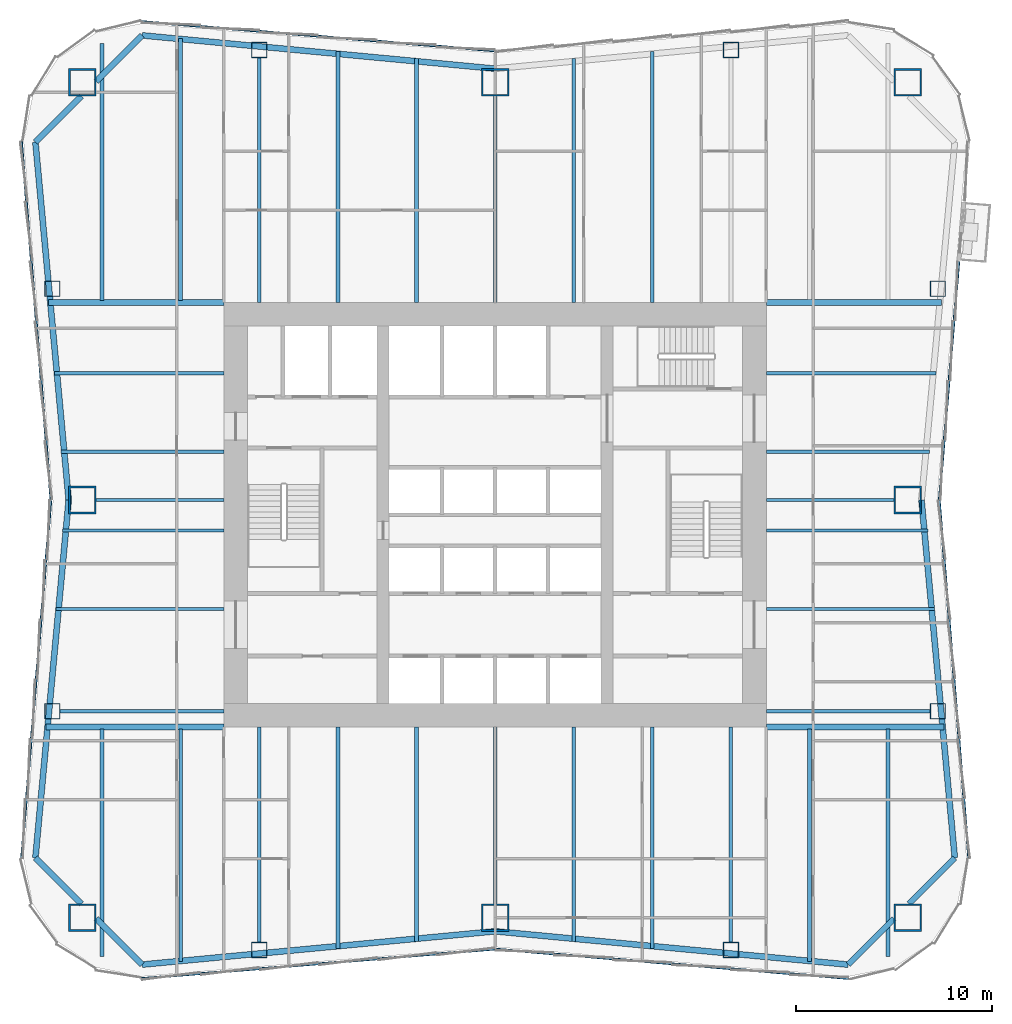
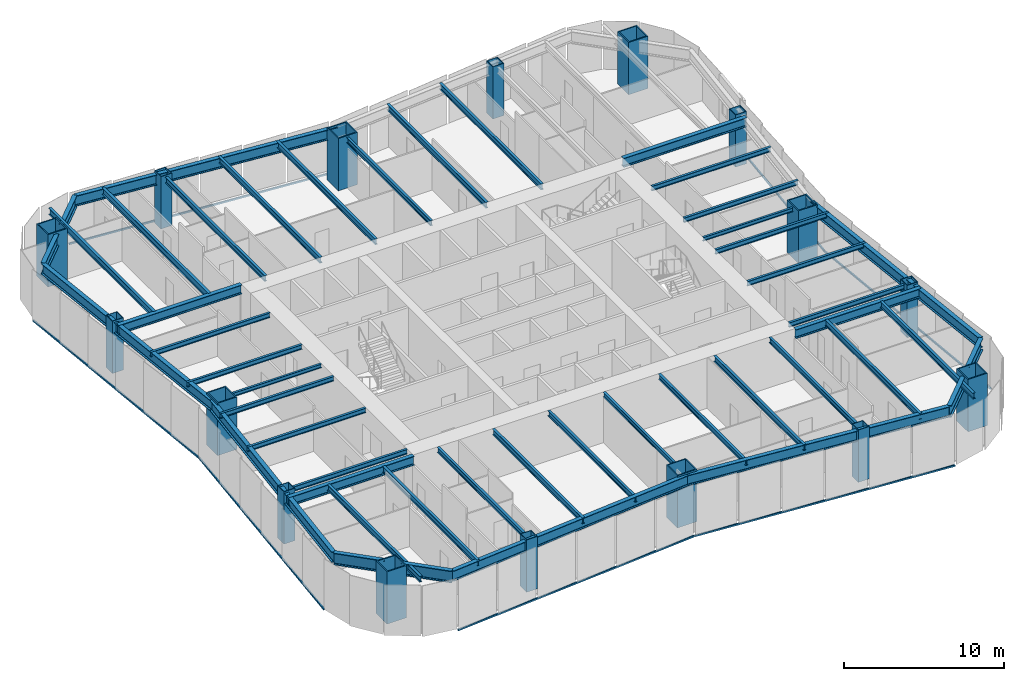
# One storey, part 1 of 9: 47 beams, 16 columns, 7 members, 4 elements without a shape of their own.
"""IFC4 building model written with IfcOpenShell, lengths in metres."""

from ifc_helpers import new_model, si_unit, direction, frame, origin, origin_2d, place, context, subcontext, project, spatial, rectangle, hollow_rectangle, i_section, extrude, material, material_profile, profile_set, type_object, element, aggregate, save


model = new_model("IFC4")

# Units and contexts
model_context = context("Model", 3, precision=1e-05, world=origin(), true_north=direction((0.0, 1.0)))
body_context = subcontext(model_context, "Body", "Model", "MODEL_VIEW")
ifc_project = project(units=[si_unit("LENGTHUNIT", "METRE"), si_unit("AREAUNIT", "SQUARE_METRE"), si_unit("VOLUMEUNIT", "CUBIC_METRE"), si_unit("PLANEANGLEUNIT", "RADIAN"), si_unit("MASSUNIT", "GRAM", prefix="KILO")], contexts=[model_context])

# Site, building, storey
site_placement = place(None, origin())
site = spatial("IfcSite", under=ifc_project, at=site_placement, CompositionType="ELEMENT")
building_placement = place(site_placement, origin())
building = spatial("IfcBuilding", under=site, at=building_placement, Name="Verdant Reach Tower", CompositionType="ELEMENT")
storey_placement = place(building_placement, frame((0.0, 0.0, 86.0)))
storey = spatial("IfcBuildingStorey", under=building, at=storey_placement, Name="L19", CompositionType="ELEMENT", Elevation=86.0)

# Columns
ifc_material_1 = material(Name="Steel S460", Category="steel")
ifc_material_profile_1 = material_profile(ifc_material_1, hollow_rectangle(XDim=1.39990234375, YDim=1.39990234375, WallThickness=0.080078125, at=origin_2d()), Name="WB 1400x1400x80")
ifc_profile_set_1 = profile_set([ifc_material_profile_1], Name="Steel S460")
column_type_1 = type_object("IfcColumnType", Name="ST-COL-WB1400x1400x80", PredefinedType="COLUMN", material=ifc_profile_set_1)
for number, where, z_axis, x_axis, name in (
    (1, (-21.0, 50.0, 0.0), (0.0, 0.0, 1.0), (1.0, 0.0, 0.0), "Mega column north-west, L19"),
    (2, (0.0, 50.0, 0.0), (0.0, 0.0, 1.0), (1.0, 0.0, 0.0), "Mega column north, L19"),
    (3, (21.0, 50.0, 0.0), (0.0, 0.0, 1.0), (1.0, 0.0, 0.0), "Mega column north-east, L19"),
    (4, (21.0, 28.75, 0.0), (0.0, 0.0, 1.0), (1.0, 0.0, 0.0), "Mega column east, L19"),
    (5, (21.0, 7.5, 0.0), (0.0, 0.0, 1.0), (1.0, 0.0, 0.0), "Mega column south-east, L19"),
    (6, (0.0, 7.5, 0.0), (0.0, 0.0, 1.0), (1.0, 0.0, 0.0), "Mega column south, L19"),
    (7, (-21.0, 7.5, 0.0), (0.0, 0.0, 1.0), (1.0, 0.0, 0.0), "Mega column south-west, L19"),
    (8, (-21.0, 28.75, 0.0), (0.0, 0.0, 1.0), (1.0, 0.0, 0.0), "Mega column west, L19"),
):
    element("IfcColumn", number, at=place(storey_placement, frame(where, z_axis=z_axis, x_axis=x_axis)), inside=storey, type_object=column_type_1, Name=name, PredefinedType="COLUMN", context=body_context, shape_type="SweptSolid", body=[
        extrude(hollow_rectangle(XDim=1.39990234375, YDim=1.39990234375, WallThickness=0.080078125, at=origin_2d()), origin(), (0.0, 0.0, 1.0), 4.0),
    ])
ifc_material_profile_2 = material_profile(ifc_material_1, hollow_rectangle(XDim=0.800048828125, YDim=0.800048828125, WallThickness=0.0400390625, at=origin_2d()), Name="WB 800x800x40")
ifc_profile_set_2 = profile_set([ifc_material_profile_2], Name="Steel S460")
column_type_2 = type_object("IfcColumnType", Name="ST-COL-WB800x800x40", PredefinedType="COLUMN", material=ifc_profile_set_2)
for number, where, z_axis, x_axis, name in (
    (9, (-12.0, 51.64990234375, 0.0), (0.0, 0.0, 1.0), (1.0, 0.0, 0.0), "Perimeter column north 1, L19"),
    (10, (12.0, 51.64990234375, 0.0), (0.0, 0.0, 1.0), (1.0, 0.0, 0.0), "Perimeter column north 2, L19"),
    (11, (-12.0, 5.85009765625, 0.0), (0.0, 0.0, 1.0), (1.0, 0.0, 0.0), "Perimeter column south 1, L19"),
    (12, (12.0, 5.85009765625, 0.0), (0.0, 0.0, 1.0), (1.0, 0.0, 0.0), "Perimeter column south 2, L19"),
    (13, (22.53369140625, 18.0, 0.0), (0.0, 0.0, 1.0), (1.0, 0.0, 0.0), "Perimeter column east 1, L19"),
    (14, (22.53369140625, 39.5, 0.0), (0.0, 0.0, 1.0), (1.0, 0.0, 0.0), "Perimeter column east 2, L19"),
    (15, (-22.53369140625, 18.0, 0.0), (0.0, 0.0, 1.0), (1.0, 0.0, 0.0), "Perimeter column west 1, L19"),
    (16, (-22.53369140625, 39.5, 0.0), (0.0, 0.0, 1.0), (1.0, 0.0, 0.0), "Perimeter column west 2, L19"),
):
    element("IfcColumn", number, at=place(storey_placement, frame(where, z_axis=z_axis, x_axis=x_axis)), inside=storey, type_object=column_type_2, Name=name, PredefinedType="COLUMN", context=body_context, shape_type="SweptSolid", body=[
        extrude(hollow_rectangle(XDim=0.800048828125, YDim=0.800048828125, WallThickness=0.0400390625, at=origin_2d()), origin(), (0.0, 0.0, 1.0), 4.0),
    ])

# Curtain wall, members
ifc_material_2 = material(Name="Anodised aluminium", Category="aluminium")
curtain_wall_type = type_object("IfcCurtainWallType", Name="EN-CW SYSTEM Z1", PredefinedType="NOTDEFINED", material=ifc_material_2)
curtain_wall_1_placement = place(storey_placement, origin())
curtain_wall_1 = element("IfcCurtainWall", 17, at=curtain_wall_1_placement, inside=storey, type_object=curtain_wall_type, Name="Curtain wall east, L19", PredefinedType="NOTDEFINED")
ifc_material_profile_3 = material_profile(ifc_material_2, rectangle(XDim=0.10009765625, YDim=0.1220703125, at=origin_2d()), Name="Transom 122x100")
ifc_profile_set_3 = profile_set([ifc_material_profile_3], Name="Anodised aluminium")
member_type = type_object("IfcMemberType", Name="EN-TRANSOM Z1", PredefinedType="USERDEFINED", material=ifc_profile_set_3)
member_1_placement = place(storey_placement, frame((24.100341796875, 10.52490234375, -0.2890625), z_axis=(-0.081886623329, 0.996641651207, 0.0), x_axis=(-0.996641651207, -0.081886623329, 0.0)))
member_1 = element("IfcMember", 18, at=member_1_placement, type_object=member_type, Name="Transom east face part 1 1.1, L19", ObjectType="TRANSOM", PredefinedType="USERDEFINED", context=body_context, shape_type="SweptSolid", body=[
    extrude(rectangle(XDim=0.10009765625, YDim=0.1220703125, at=origin_2d()), origin(), (0.0, 0.0, 1.0), 18.25537109375),
])
member_2_placement = place(storey_placement, frame((22.60546875, 28.781005859375, -0.2890625), z_axis=(0.081948400518, 0.996636573507, 0.0), x_axis=(-0.996636573507, 0.081948400518, 0.0)))
member_2 = element("IfcMember", 19, at=member_2_placement, type_object=member_type, Name="Transom east face part 2 1.1, L19", ObjectType="TRANSOM", PredefinedType="USERDEFINED", context=body_context, shape_type="SweptSolid", body=[
    extrude(rectangle(XDim=0.10009765625, YDim=0.1220703125, at=origin_2d()), origin(), (0.0, 0.0, 1.0), 12.13720703125),
])
aggregate(curtain_wall_1, [member_1, member_2])

# Curtain wall, member
curtain_wall_2_placement = place(storey_placement, origin())
curtain_wall_2 = element("IfcCurtainWall", 20, at=curtain_wall_2_placement, inside=storey, type_object=curtain_wall_type, Name="Curtain wall north, L19", PredefinedType="NOTDEFINED")
member_3_placement = place(storey_placement, frame((-0.031005859375, 51.60546875, -0.2890625), z_axis=(-0.996547815143, 0.083020793384, 0.0), x_axis=(-0.083020793384, -0.996547815143, 0.0)))
member_3 = element("IfcMember", 21, at=member_3_placement, type_object=member_type, Name="Transom north face part 2 1.1, L19", ObjectType="TRANSOM", PredefinedType="USERDEFINED", context=body_context, shape_type="SweptSolid", body=[
    extrude(rectangle(XDim=0.10009765625, YDim=0.1220703125, at=origin_2d()), origin(), (0.0, 0.0, 1.0), 18.006103515625),
])
aggregate(curtain_wall_2, [member_3])

# Curtain wall, members
curtain_wall_3_placement = place(storey_placement, origin())
curtain_wall_3 = element("IfcCurtainWall", 22, at=curtain_wall_3_placement, inside=storey, type_object=curtain_wall_type, Name="Curtain wall west, L19", PredefinedType="NOTDEFINED")
member_4_placement = place(storey_placement, frame((-24.100341796875, 46.97509765625, -0.2890625), z_axis=(0.081886623329, -0.996641651207, 0.0), x_axis=(0.996641651207, 0.081886623329, 0.0)))
member_4 = element("IfcMember", 23, at=member_4_placement, type_object=member_type, Name="Transom west face part 1 1.1, L19", ObjectType="TRANSOM", PredefinedType="USERDEFINED", context=body_context, shape_type="SweptSolid", body=[
    extrude(rectangle(XDim=0.10009765625, YDim=0.1220703125, at=origin_2d()), origin(), (0.0, 0.0, 1.0), 18.25537109375),
])
member_5_placement = place(storey_placement, frame((-22.60546875, 28.718994140625, -0.2890625), z_axis=(-0.081886623329, -0.996641651207, 0.0), x_axis=(0.996641651207, -0.081886623329, 0.0)))
member_5 = element("IfcMember", 24, at=member_5_placement, type_object=member_type, Name="Transom west face part 2 1.1, L19", ObjectType="TRANSOM", PredefinedType="USERDEFINED", context=body_context, shape_type="SweptSolid", body=[
    extrude(rectangle(XDim=0.10009765625, YDim=0.1220703125, at=origin_2d()), origin(), (0.0, 0.0, 1.0), 18.25537109375),
])
aggregate(curtain_wall_3, [member_4, member_5])

curtain_wall_4_placement = place(storey_placement, origin())
curtain_wall_4 = element("IfcCurtainWall", 25, at=curtain_wall_4_placement, inside=storey, type_object=curtain_wall_type, Name="Curtain wall south, L19", PredefinedType="NOTDEFINED")
member_6_placement = place(storey_placement, frame((-17.974853515625, 4.399658203125, -0.2890625), z_axis=(0.996547815143, 0.083020793384, 0.0), x_axis=(-0.083020793384, 0.996547815143, 0.0)))
member_6 = element("IfcMember", 26, at=member_6_placement, type_object=member_type, Name="Transom south face part 1 1.1, L19", ObjectType="TRANSOM", PredefinedType="USERDEFINED", context=body_context, shape_type="SweptSolid", body=[
    extrude(rectangle(XDim=0.10009765625, YDim=0.1220703125, at=origin_2d()), origin(), (0.0, 0.0, 1.0), 18.006103515625),
])
member_7_placement = place(storey_placement, frame((0.031005859375, 5.89453125, -0.2890625), z_axis=(0.996547815143, -0.083020793384, 0.0), x_axis=(0.083020793384, 0.996547815143, 0.0)))
member_7 = element("IfcMember", 27, at=member_7_placement, type_object=member_type, Name="Transom south face part 2 1.1, L19", ObjectType="TRANSOM", PredefinedType="USERDEFINED", context=body_context, shape_type="SweptSolid", body=[
    extrude(rectangle(XDim=0.10009765625, YDim=0.1220703125, at=origin_2d()), origin(), (0.0, 0.0, 1.0), 18.006103515625),
])
aggregate(curtain_wall_4, [member_6, member_7])

# Beams
ifc_material_3 = material(Name="Steel S355", Category="steel")
ifc_material_profile_4 = material_profile(ifc_material_3, i_section(OverallWidth=0.300048828125, OverallDepth=0.699951171875, WebThickness=0.01708984375, FlangeThickness=0.031982421875, FilletRadius=0.027099609375, at=origin_2d()), Name="HEB 700")
ifc_profile_set_4 = profile_set([ifc_material_profile_4], Name="Steel S355")
beam_type_1 = type_object("IfcBeamType", Name="ST-BEAM-HEB700", PredefinedType="BEAM", material=ifc_profile_set_4)
for number, where, z_axis, x_axis, name in (
    (28, (13.800048828125, 38.800048828125, 3.52001953125), (1.0, 0.0, 0.0), (0.0, 1.0, 0.0), "Trimmer beam, L19"),
    (29, (-13.800048828125, 38.800048828125, 3.52001953125), (-1.0, 0.0, 0.0), (0.0, -1.0, 0.0), "Trimmer beam, L19"),
):
    element("IfcBeam", number, at=place(storey_placement, frame(where, z_axis=z_axis, x_axis=x_axis)), inside=storey, type_object=beam_type_1, Name=name, PredefinedType="BEAM", context=body_context, shape_type="SweptSolid", body=[
        extrude(i_section(OverallWidth=0.300048828125, OverallDepth=0.699951171875, WebThickness=0.01708984375, FlangeThickness=0.031982421875, FilletRadius=0.027099609375, at=origin_2d()), origin(), (0.0, 0.0, 1.0), 8.924072265625),
    ])
for number, where, z_axis, x_axis, name in (
    (30, (13.800048828125, 17.199951171875, 3.52001953125), (1.0, 0.0, 0.0), (0.0, 1.0, 0.0), "Trimmer beam, L19"),
    (31, (-13.800048828125, 17.199951171875, 3.52001953125), (-1.0, 0.0, 0.0), (0.0, -1.0, 0.0), "Trimmer beam, L19"),
):
    element("IfcBeam", number, at=place(storey_placement, frame(where, z_axis=z_axis, x_axis=x_axis)), inside=storey, type_object=beam_type_1, Name=name, PredefinedType="BEAM", context=body_context, shape_type="SweptSolid", body=[
        extrude(i_section(OverallWidth=0.300048828125, OverallDepth=0.699951171875, WebThickness=0.01708984375, FlangeThickness=0.031982421875, FilletRadius=0.027099609375, at=origin_2d()), origin(), (0.0, 0.0, 1.0), 9.04736328125),
    ])
ifc_material_profile_5 = material_profile(ifc_material_3, i_section(OverallWidth=0.14990234375, OverallDepth=0.300048828125, WebThickness=0.007080078125, FlangeThickness=0.0107421875, FilletRadius=0.014892578125, at=origin_2d()), Name="IPE 300")
ifc_profile_set_5 = profile_set([ifc_material_profile_5], Name="Steel S355")
beam_type_2 = type_object("IfcBeamType", Name="ST-JOIST-IPE300", PredefinedType="JOIST", material=ifc_profile_set_5)
for number, where, z_axis, x_axis, name in (
    (32, (13.800048828125, 28.75, 3.719970703125), (1.0, 0.0, 0.0), (0.0, 1.0, 0.0), "Floor joist, L19"),
    (33, (-13.800048828125, 28.75, 3.719970703125), (-1.0, 0.0, 0.0), (0.0, -1.0, 0.0), "Floor joist, L19"),
):
    element("IfcBeam", number, at=place(storey_placement, frame(where, z_axis=z_axis, x_axis=x_axis)), inside=storey, type_object=beam_type_2, Name=name, PredefinedType="JOIST", context=body_context, shape_type="SweptSolid", body=[
        extrude(i_section(OverallWidth=0.14990234375, OverallDepth=0.300048828125, WebThickness=0.007080078125, FlangeThickness=0.0107421875, FilletRadius=0.014892578125, at=origin_2d()), origin(), (0.0, 0.0, 1.0), 6.5),
    ])
ifc_material_profile_6 = material_profile(ifc_material_3, i_section(OverallWidth=0.169921875, OverallDepth=0.360107421875, WebThickness=0.008056640625, FlangeThickness=0.0126953125, FilletRadius=0.01806640625, at=origin_2d()), Name="IPE 360")
ifc_profile_set_6 = profile_set([ifc_material_profile_6], Name="Steel S355")
beam_type_3 = type_object("IfcBeamType", Name="ST-JOIST-IPE360", PredefinedType="JOIST", material=ifc_profile_set_6)
beam_1_placement = place(storey_placement, frame((0.0, 17.199951171875, 3.68994140625), z_axis=(0.0, -1.0, 0.0), x_axis=(1.0, 0.0, 0.0)))
element("IfcBeam", 34, at=beam_1_placement, inside=storey, type_object=beam_type_3, Name="Floor joist, L19", PredefinedType="JOIST", context=body_context, shape_type="SweptSolid", body=[
    extrude(i_section(OverallWidth=0.169921875, OverallDepth=0.360107421875, WebThickness=0.008056640625, FlangeThickness=0.0126953125, FilletRadius=0.01806640625, at=origin_2d()), origin(), (0.0, 0.0, 1.0), 9.0),
])
for number, where, z_axis, x_axis, name in (
    (35, (13.800048828125, 18.0, 3.68994140625), (1.0, 0.0, 0.0), (0.0, 1.0, 0.0), "Floor joist, L19"),
    (36, (-13.800048828125, 18.0, 3.68994140625), (-1.0, 0.0, 0.0), (0.0, -1.0, 0.0), "Floor joist, L19"),
):
    element("IfcBeam", number, at=place(storey_placement, frame(where, z_axis=z_axis, x_axis=x_axis)), inside=storey, type_object=beam_type_3, Name=name, PredefinedType="JOIST", context=body_context, shape_type="SweptSolid", body=[
        extrude(i_section(OverallWidth=0.169921875, OverallDepth=0.360107421875, WebThickness=0.008056640625, FlangeThickness=0.0126953125, FilletRadius=0.01806640625, at=origin_2d()), origin(), (0.0, 0.0, 1.0), 8.33349609375),
    ])
for number, where, z_axis, x_axis, name in (
    (37, (13.800048828125, 23.199951171875, 3.68994140625), (1.0, 0.0, 0.0), (0.0, 1.0, 0.0), "Floor joist, L19"),
    (38, (-13.800048828125, 23.199951171875, 3.68994140625), (-1.0, 0.0, 0.0), (0.0, -1.0, 0.0), "Floor joist, L19"),
):
    element("IfcBeam", number, at=place(storey_placement, frame(where, z_axis=z_axis, x_axis=x_axis)), inside=storey, type_object=beam_type_3, Name=name, PredefinedType="JOIST", context=body_context, shape_type="SweptSolid", body=[
        extrude(i_section(OverallWidth=0.169921875, OverallDepth=0.360107421875, WebThickness=0.008056640625, FlangeThickness=0.0126953125, FilletRadius=0.01806640625, at=origin_2d()), origin(), (0.0, 0.0, 1.0), 8.553955078125),
    ])
for number, where, z_axis, x_axis, name in (
    (39, (13.800048828125, 27.199951171875, 3.68994140625), (1.0, 0.0, 0.0), (0.0, 1.0, 0.0), "Floor joist, L19"),
    (40, (-13.800048828125, 27.199951171875, 3.68994140625), (-1.0, 0.0, 0.0), (0.0, -1.0, 0.0), "Floor joist, L19"),
):
    element("IfcBeam", number, at=place(storey_placement, frame(where, z_axis=z_axis, x_axis=x_axis)), inside=storey, type_object=beam_type_3, Name=name, PredefinedType="JOIST", context=body_context, shape_type="SweptSolid", body=[
        extrude(i_section(OverallWidth=0.169921875, OverallDepth=0.360107421875, WebThickness=0.008056640625, FlangeThickness=0.0126953125, FilletRadius=0.01806640625, at=origin_2d()), origin(), (0.0, 0.0, 1.0), 8.225341796875),
    ])
for number, where, z_axis, x_axis, name in (
    (41, (13.800048828125, 31.199951171875, 3.68994140625), (1.0, 0.0, 0.0), (0.0, 1.0, 0.0), "Floor joist, L19"),
    (42, (-13.800048828125, 31.199951171875, 3.68994140625), (-1.0, 0.0, 0.0), (0.0, -1.0, 0.0), "Floor joist, L19"),
):
    element("IfcBeam", number, at=place(storey_placement, frame(where, z_axis=z_axis, x_axis=x_axis)), inside=storey, type_object=beam_type_3, Name=name, PredefinedType="JOIST", context=body_context, shape_type="SweptSolid", body=[
        extrude(i_section(OverallWidth=0.169921875, OverallDepth=0.360107421875, WebThickness=0.008056640625, FlangeThickness=0.0126953125, FilletRadius=0.01806640625, at=origin_2d()), origin(), (0.0, 0.0, 1.0), 8.29931640625),
    ])
for number, where, z_axis, x_axis, name in (
    (43, (13.800048828125, 35.199951171875, 3.68994140625), (1.0, 0.0, 0.0), (0.0, 1.0, 0.0), "Floor joist, L19"),
    (44, (-13.800048828125, 35.199951171875, 3.68994140625), (-1.0, 0.0, 0.0), (0.0, -1.0, 0.0), "Floor joist, L19"),
):
    element("IfcBeam", number, at=place(storey_placement, frame(where, z_axis=z_axis, x_axis=x_axis)), inside=storey, type_object=beam_type_3, Name=name, PredefinedType="JOIST", context=body_context, shape_type="SweptSolid", body=[
        extrude(i_section(OverallWidth=0.169921875, OverallDepth=0.360107421875, WebThickness=0.008056640625, FlangeThickness=0.0126953125, FilletRadius=0.01806640625, at=origin_2d()), origin(), (0.0, 0.0, 1.0), 8.6279296875),
    ])
ifc_material_profile_7 = material_profile(ifc_material_3, i_section(OverallWidth=0.179931640625, OverallDepth=0.39990234375, WebThickness=0.008544921875, FlangeThickness=0.013427734375, FilletRadius=0.02099609375, at=origin_2d()), Name="IPE 400")
ifc_profile_set_7 = profile_set([ifc_material_profile_7], Name="Steel S355")
beam_type_4 = type_object("IfcBeamType", Name="ST-JOIST-IPE400", PredefinedType="JOIST", material=ifc_profile_set_7)
beam_2_placement = place(storey_placement, frame((-12.0, 17.199951171875, 3.669921875), z_axis=(0.0, -1.0, 0.0), x_axis=(1.0, 0.0, 0.0)))
element("IfcBeam", 45, at=beam_2_placement, inside=storey, type_object=beam_type_4, Name="Floor joist, L19", PredefinedType="JOIST", context=body_context, shape_type="SweptSolid", body=[
    extrude(i_section(OverallWidth=0.179931640625, OverallDepth=0.39990234375, WebThickness=0.008544921875, FlangeThickness=0.013427734375, FilletRadius=0.02099609375, at=origin_2d()), origin(), (0.0, 0.0, 1.0), 10.949951171875),
])
beam_3_placement = place(storey_placement, frame((-4.0, 17.199951171875, 3.669921875), z_axis=(0.0, -1.0, 0.0), x_axis=(1.0, 0.0, 0.0)))
element("IfcBeam", 46, at=beam_3_placement, inside=storey, type_object=beam_type_4, Name="Floor joist, L19", PredefinedType="JOIST", context=body_context, shape_type="SweptSolid", body=[
    extrude(i_section(OverallWidth=0.179931640625, OverallDepth=0.39990234375, WebThickness=0.008544921875, FlangeThickness=0.013427734375, FilletRadius=0.02099609375, at=origin_2d()), origin(), (0.0, 0.0, 1.0), 10.93115234375),
])
beam_4_placement = place(storey_placement, frame((0.0, 38.800048828125, 3.669921875), z_axis=(0.0, 1.0, 0.0), x_axis=(-1.0, 0.0, 0.0)))
element("IfcBeam", 47, at=beam_4_placement, inside=storey, type_object=beam_type_4, Name="Floor joist, L19", PredefinedType="JOIST", context=body_context, shape_type="SweptSolid", body=[
    extrude(i_section(OverallWidth=0.179931640625, OverallDepth=0.39990234375, WebThickness=0.008544921875, FlangeThickness=0.013427734375, FilletRadius=0.02099609375, at=origin_2d()), origin(), (0.0, 0.0, 1.0), 10.5),
])
beam_5_placement = place(storey_placement, frame((4.0, 17.199951171875, 3.669921875), z_axis=(0.0, -1.0, 0.0), x_axis=(1.0, 0.0, 0.0)))
element("IfcBeam", 48, at=beam_5_placement, inside=storey, type_object=beam_type_4, Name="Floor joist, L19", PredefinedType="JOIST", context=body_context, shape_type="SweptSolid", body=[
    extrude(i_section(OverallWidth=0.179931640625, OverallDepth=0.39990234375, WebThickness=0.008544921875, FlangeThickness=0.013427734375, FilletRadius=0.02099609375, at=origin_2d()), origin(), (0.0, 0.0, 1.0), 10.93115234375),
])
beam_6_placement = place(storey_placement, frame((12.0, 17.199951171875, 3.669921875), z_axis=(0.0, -1.0, 0.0), x_axis=(1.0, 0.0, 0.0)))
element("IfcBeam", 49, at=beam_6_placement, inside=storey, type_object=beam_type_4, Name="Floor joist, L19", PredefinedType="JOIST", context=body_context, shape_type="SweptSolid", body=[
    extrude(i_section(OverallWidth=0.179931640625, OverallDepth=0.39990234375, WebThickness=0.008544921875, FlangeThickness=0.013427734375, FilletRadius=0.02099609375, at=origin_2d()), origin(), (0.0, 0.0, 1.0), 10.949951171875),
])
ifc_material_profile_8 = material_profile(ifc_material_3, i_section(OverallWidth=0.18994140625, OverallDepth=0.449951171875, WebThickness=0.009521484375, FlangeThickness=0.0146484375, FilletRadius=0.02099609375, at=origin_2d()), Name="IPE 450")
ifc_profile_set_8 = profile_set([ifc_material_profile_8], Name="Steel S355")
beam_type_5 = type_object("IfcBeamType", Name="ST-JOIST-IPE450", PredefinedType="JOIST", material=ifc_profile_set_8)
beam_7_placement = place(storey_placement, frame((-20.0, 17.10009765625, 3.64501953125), z_axis=(0.0, -1.0, 0.0), x_axis=(1.0, 0.0, 0.0)))
element("IfcBeam", 50, at=beam_7_placement, inside=storey, type_object=beam_type_5, Name="Floor joist, L19", PredefinedType="JOIST", context=body_context, shape_type="SweptSolid", body=[
    extrude(i_section(OverallWidth=0.18994140625, OverallDepth=0.449951171875, WebThickness=0.009521484375, FlangeThickness=0.0146484375, FilletRadius=0.02099609375, at=origin_2d()), origin(), (0.0, 0.0, 1.0), 11.590576171875),
])
beam_8_placement = place(storey_placement, frame((-16.0, 17.10009765625, 3.64501953125), z_axis=(0.0, -1.0, 0.0), x_axis=(1.0, 0.0, 0.0)))
element("IfcBeam", 51, at=beam_8_placement, inside=storey, type_object=beam_type_5, Name="Floor joist, L19", PredefinedType="JOIST", context=body_context, shape_type="SweptSolid", body=[
    extrude(i_section(OverallWidth=0.18994140625, OverallDepth=0.449951171875, WebThickness=0.009521484375, FlangeThickness=0.0146484375, FilletRadius=0.02099609375, at=origin_2d()), origin(), (0.0, 0.0, 1.0), 11.831298828125),
])
beam_9_placement = place(storey_placement, frame((-12.0, 38.800048828125, 3.64501953125), z_axis=(0.0, 1.0, 0.0), x_axis=(-1.0, 0.0, 0.0)))
element("IfcBeam", 52, at=beam_9_placement, inside=storey, type_object=beam_type_5, Name="Floor joist, L19", PredefinedType="JOIST", context=body_context, shape_type="SweptSolid", body=[
    extrude(i_section(OverallWidth=0.18994140625, OverallDepth=0.449951171875, WebThickness=0.009521484375, FlangeThickness=0.0146484375, FilletRadius=0.02099609375, at=origin_2d()), origin(), (0.0, 0.0, 1.0), 12.449951171875),
])
beam_10_placement = place(storey_placement, frame((-8.0, 38.800048828125, 3.64501953125), z_axis=(0.0, 1.0, 0.0), x_axis=(-1.0, 0.0, 0.0)))
element("IfcBeam", 53, at=beam_10_placement, inside=storey, type_object=beam_type_5, Name="Floor joist, L19", PredefinedType="JOIST", context=body_context, shape_type="SweptSolid", body=[
    extrude(i_section(OverallWidth=0.18994140625, OverallDepth=0.449951171875, WebThickness=0.009521484375, FlangeThickness=0.0146484375, FilletRadius=0.02099609375, at=origin_2d()), origin(), (0.0, 0.0, 1.0), 12.7646484375),
])
beam_11_placement = place(storey_placement, frame((-8.0, 17.199951171875, 3.64501953125), z_axis=(0.0, -1.0, 0.0), x_axis=(1.0, 0.0, 0.0)))
element("IfcBeam", 54, at=beam_11_placement, inside=storey, type_object=beam_type_5, Name="Floor joist, L19", PredefinedType="JOIST", context=body_context, shape_type="SweptSolid", body=[
    extrude(i_section(OverallWidth=0.18994140625, OverallDepth=0.449951171875, WebThickness=0.009521484375, FlangeThickness=0.0146484375, FilletRadius=0.02099609375, at=origin_2d()), origin(), (0.0, 0.0, 1.0), 11.2646484375),
])
for number, where, z_axis, x_axis, name in (
    (55, (-4.0, 38.800048828125, 3.64501953125), (0.0, 1.0, 0.0), (-1.0, 0.0, 0.0), "Floor joist, L19"),
    (56, (4.0, 38.800048828125, 3.64501953125), (0.0, 1.0, 0.0), (-1.0, 0.0, 0.0), "Floor joist, L19"),
):
    element("IfcBeam", number, at=place(storey_placement, frame(where, z_axis=z_axis, x_axis=x_axis)), inside=storey, type_object=beam_type_5, Name=name, PredefinedType="JOIST", context=body_context, shape_type="SweptSolid", body=[
        extrude(i_section(OverallWidth=0.18994140625, OverallDepth=0.449951171875, WebThickness=0.009521484375, FlangeThickness=0.0146484375, FilletRadius=0.02099609375, at=origin_2d()), origin(), (0.0, 0.0, 1.0), 12.43115234375),
    ])
beam_12_placement = place(storey_placement, frame((8.0, 38.800048828125, 3.64501953125), z_axis=(0.0, 1.0, 0.0), x_axis=(-1.0, 0.0, 0.0)))
element("IfcBeam", 57, at=beam_12_placement, inside=storey, type_object=beam_type_5, Name="Floor joist, L19", PredefinedType="JOIST", context=body_context, shape_type="SweptSolid", body=[
    extrude(i_section(OverallWidth=0.18994140625, OverallDepth=0.449951171875, WebThickness=0.009521484375, FlangeThickness=0.0146484375, FilletRadius=0.02099609375, at=origin_2d()), origin(), (0.0, 0.0, 1.0), 12.7646484375),
])
beam_13_placement = place(storey_placement, frame((8.0, 17.199951171875, 3.64501953125), z_axis=(0.0, -1.0, 0.0), x_axis=(1.0, 0.0, 0.0)))
element("IfcBeam", 58, at=beam_13_placement, inside=storey, type_object=beam_type_5, Name="Floor joist, L19", PredefinedType="JOIST", context=body_context, shape_type="SweptSolid", body=[
    extrude(i_section(OverallWidth=0.18994140625, OverallDepth=0.449951171875, WebThickness=0.009521484375, FlangeThickness=0.0146484375, FilletRadius=0.02099609375, at=origin_2d()), origin(), (0.0, 0.0, 1.0), 11.2646484375),
])
beam_14_placement = place(storey_placement, frame((16.0, 17.10009765625, 3.64501953125), z_axis=(0.0, -1.0, 0.0), x_axis=(1.0, 0.0, 0.0)))
element("IfcBeam", 59, at=beam_14_placement, inside=storey, type_object=beam_type_5, Name="Floor joist, L19", PredefinedType="JOIST", context=body_context, shape_type="SweptSolid", body=[
    extrude(i_section(OverallWidth=0.18994140625, OverallDepth=0.449951171875, WebThickness=0.009521484375, FlangeThickness=0.0146484375, FilletRadius=0.02099609375, at=origin_2d()), origin(), (0.0, 0.0, 1.0), 11.831298828125),
])
beam_15_placement = place(storey_placement, frame((20.0, 17.10009765625, 3.64501953125), z_axis=(0.0, -1.0, 0.0), x_axis=(1.0, 0.0, 0.0)))
element("IfcBeam", 60, at=beam_15_placement, inside=storey, type_object=beam_type_5, Name="Floor joist, L19", PredefinedType="JOIST", context=body_context, shape_type="SweptSolid", body=[
    extrude(i_section(OverallWidth=0.18994140625, OverallDepth=0.449951171875, WebThickness=0.009521484375, FlangeThickness=0.0146484375, FilletRadius=0.02099609375, at=origin_2d()), origin(), (0.0, 0.0, 1.0), 11.590576171875),
])
ifc_material_profile_9 = material_profile(ifc_material_3, i_section(OverallWidth=0.199951171875, OverallDepth=0.5, WebThickness=0.01025390625, FlangeThickness=0.01611328125, FilletRadius=0.02099609375, at=origin_2d()), Name="IPE 500")
ifc_profile_set_9 = profile_set([ifc_material_profile_9], Name="Steel S355")
beam_type_6 = type_object("IfcBeamType", Name="ST-JOIST-IPE500", PredefinedType="JOIST", material=ifc_profile_set_9)
beam_16_placement = place(storey_placement, frame((-20.0, 38.89990234375, 3.6201171875), z_axis=(0.0, 1.0, 0.0), x_axis=(-1.0, 0.0, 0.0)))
element("IfcBeam", 61, at=beam_16_placement, inside=storey, type_object=beam_type_6, Name="Floor joist, L19", PredefinedType="JOIST", context=body_context, shape_type="SweptSolid", body=[
    extrude(i_section(OverallWidth=0.199951171875, OverallDepth=0.5, WebThickness=0.01025390625, FlangeThickness=0.01611328125, FilletRadius=0.02099609375, at=origin_2d()), origin(), (0.0, 0.0, 1.0), 13.090576171875),
])
beam_17_placement = place(storey_placement, frame((-16.0, 38.89990234375, 3.6201171875), z_axis=(0.0, 1.0, 0.0), x_axis=(-1.0, 0.0, 0.0)))
element("IfcBeam", 62, at=beam_17_placement, inside=storey, type_object=beam_type_6, Name="Floor joist, L19", PredefinedType="JOIST", context=body_context, shape_type="SweptSolid", body=[
    extrude(i_section(OverallWidth=0.199951171875, OverallDepth=0.5, WebThickness=0.01025390625, FlangeThickness=0.01611328125, FilletRadius=0.02099609375, at=origin_2d()), origin(), (0.0, 0.0, 1.0), 13.331298828125),
])
ifc_material_profile_10 = material_profile(ifc_material_3, i_section(OverallWidth=0.300048828125, OverallDepth=0.800048828125, WebThickness=0.017578125, FlangeThickness=0.032958984375, FilletRadius=0.030029296875, at=origin_2d()), Name="HEB 800")
ifc_profile_set_10 = profile_set([ifc_material_profile_10], Name="Steel S355")
beam_type_7 = type_object("IfcBeamType", Name="ST-SPANDREL-HEB800", PredefinedType="SPANDREL", material=ifc_profile_set_10)
for number, where, z_axis, x_axis, name in (
    (63, (17.9658203125, 5.10498046875, 3.469970703125), (-0.995578571765, 0.093932462137, 0.0), (-0.093932462137, -0.995578571765, 0.0), "Edge beam, L19"),
    (64, (0.0, 6.800048828125, 3.469970703125), (-0.995578571765, -0.093932462137, 0.0), (0.093932462137, -0.995578571765, 0.0), "Edge beam, L19"),
):
    element("IfcBeam", number, at=place(storey_placement, frame(where, z_axis=z_axis, x_axis=x_axis)), inside=storey, type_object=beam_type_7, Name=name, PredefinedType="SPANDREL", context=body_context, shape_type="SweptSolid", body=[
        extrude(i_section(OverallWidth=0.300048828125, OverallDepth=0.800048828125, WebThickness=0.017578125, FlangeThickness=0.032958984375, FilletRadius=0.030029296875, at=origin_2d()), origin(), (0.0, 0.0, 1.0), 18.045654296875),
    ])
for number, where, z_axis, x_axis, name in (
    (65, (-23.39501953125, 10.53466796875, 3.469970703125), (0.092656907618, 0.995698095544, 0.0), (-0.995698095544, 0.092656907618, 0.0), "Edge beam, L19"),
    (66, (-21.699951171875, 28.75, 3.469970703125), (-0.092656907618, 0.995698095544, 0.0), (-0.995698095544, -0.092656907618, 0.0), "Edge beam, L19"),
):
    element("IfcBeam", number, at=place(storey_placement, frame(where, z_axis=z_axis, x_axis=x_axis)), inside=storey, type_object=beam_type_7, Name=name, PredefinedType="SPANDREL", context=body_context, shape_type="SweptSolid", body=[
        extrude(i_section(OverallWidth=0.300048828125, OverallDepth=0.800048828125, WebThickness=0.017578125, FlangeThickness=0.032958984375, FilletRadius=0.030029296875, at=origin_2d()), origin(), (0.0, 0.0, 1.0), 18.2939453125),
    ])
beam_18_placement = place(storey_placement, frame((-17.9658203125, 52.39501953125, 3.469970703125), z_axis=(0.995578571765, -0.093932462137, 0.0), x_axis=(0.093932462137, 0.995578571765, 0.0)))
element("IfcBeam", 67, at=beam_18_placement, inside=storey, type_object=beam_type_7, Name="Edge beam, L19", PredefinedType="SPANDREL", context=body_context, shape_type="SweptSolid", body=[
    extrude(i_section(OverallWidth=0.300048828125, OverallDepth=0.800048828125, WebThickness=0.017578125, FlangeThickness=0.032958984375, FilletRadius=0.030029296875, at=origin_2d()), origin(), (0.0, 0.0, 1.0), 18.045654296875),
])
beam_19_placement = place(storey_placement, frame((21.699951171875, 28.75, 3.469970703125), z_axis=(0.092656907618, -0.995698095544, 0.0), x_axis=(0.995698095544, 0.092656907618, 0.0)))
element("IfcBeam", 68, at=beam_19_placement, inside=storey, type_object=beam_type_7, Name="Edge beam, L19", PredefinedType="SPANDREL", context=body_context, shape_type="SweptSolid", body=[
    extrude(i_section(OverallWidth=0.300048828125, OverallDepth=0.800048828125, WebThickness=0.017578125, FlangeThickness=0.032958984375, FilletRadius=0.030029296875, at=origin_2d()), origin(), (0.0, 0.0, 1.0), 18.2939453125),
])
ifc_material_profile_11 = material_profile(ifc_material_3, i_section(OverallWidth=0.302001953125, OverallDepth=0.909912109375, WebThickness=0.02099609375, FlangeThickness=0.0400390625, FilletRadius=0.030029296875, at=origin_2d()), Name="HEM 900")
ifc_profile_set_11 = profile_set([ifc_material_profile_11], Name="Steel S355")
beam_type_8 = type_object("IfcBeamType", Name="ST-SPANDREL-HEM900", PredefinedType="SPANDREL", material=ifc_profile_set_11)
beam_20_placement = place(storey_placement, frame((-17.9658203125, 5.10498046875, 3.4150390625), z_axis=(-0.707106781187, 0.707106781187, 0.0), x_axis=(-0.707106781187, -0.707106781187, 0.0)))
element("IfcBeam", 69, at=beam_20_placement, inside=storey, type_object=beam_type_8, Name="Edge beam, L19", PredefinedType="SPANDREL", context=body_context, shape_type="SweptSolid", body=[
    extrude(i_section(OverallWidth=0.302001953125, OverallDepth=0.909912109375, WebThickness=0.02099609375, FlangeThickness=0.0400390625, FilletRadius=0.030029296875, at=origin_2d()), origin(), (0.0, 0.0, 1.0), 3.301025390625),
])
for number, where, z_axis, x_axis, name in (
    (70, (-21.060546875, 8.199951171875, 3.4150390625), (-0.707069807316, 0.707143753123, 0.0), (-0.707143753123, -0.707069807316, 0.0), "Edge beam, L19"),
    (71, (-23.39501953125, 46.96533203125, 3.4150390625), (0.707069807316, 0.707143753123, 0.0), (-0.707143753123, 0.707069807316, 0.0), "Edge beam, L19"),
):
    element("IfcBeam", number, at=place(storey_placement, frame(where, z_axis=z_axis, x_axis=x_axis)), inside=storey, type_object=beam_type_8, Name=name, PredefinedType="SPANDREL", context=body_context, shape_type="SweptSolid", body=[
        extrude(i_section(OverallWidth=0.302001953125, OverallDepth=0.909912109375, WebThickness=0.02099609375, FlangeThickness=0.0400390625, FilletRadius=0.030029296875, at=origin_2d()), origin(), (0.0, 0.0, 1.0), 3.301513671875),
    ])
beam_21_placement = place(storey_placement, frame((-20.300048828125, 50.060791015625, 3.4150390625), z_axis=(0.707106781187, 0.707106781187, 0.0), x_axis=(-0.707106781187, 0.707106781187, 0.0)))
element("IfcBeam", 72, at=beam_21_placement, inside=storey, type_object=beam_type_8, Name="Edge beam, L19", PredefinedType="SPANDREL", context=body_context, shape_type="SweptSolid", body=[
    extrude(i_section(OverallWidth=0.302001953125, OverallDepth=0.909912109375, WebThickness=0.02099609375, FlangeThickness=0.0400390625, FilletRadius=0.030029296875, at=origin_2d()), origin(), (0.0, 0.0, 1.0), 3.301025390625),
])
beam_22_placement = place(storey_placement, frame((23.39501953125, 10.53466796875, 3.4150390625), z_axis=(-0.707069807316, -0.707143753123, 0.0), x_axis=(0.707143753123, -0.707069807316, 0.0)))
element("IfcBeam", 73, at=beam_22_placement, inside=storey, type_object=beam_type_8, Name="Edge beam, L19", PredefinedType="SPANDREL", context=body_context, shape_type="SweptSolid", body=[
    extrude(i_section(OverallWidth=0.302001953125, OverallDepth=0.909912109375, WebThickness=0.02099609375, FlangeThickness=0.0400390625, FilletRadius=0.030029296875, at=origin_2d()), origin(), (0.0, 0.0, 1.0), 3.301513671875),
])
beam_23_placement = place(storey_placement, frame((20.300048828125, 7.439208984375, 3.4150390625), z_axis=(-0.707106781187, -0.707106781187, 0.0), x_axis=(0.707106781187, -0.707106781187, 0.0)))
element("IfcBeam", 74, at=beam_23_placement, inside=storey, type_object=beam_type_8, Name="Edge beam, L19", PredefinedType="SPANDREL", context=body_context, shape_type="SweptSolid", body=[
    extrude(i_section(OverallWidth=0.302001953125, OverallDepth=0.909912109375, WebThickness=0.02099609375, FlangeThickness=0.0400390625, FilletRadius=0.030029296875, at=origin_2d()), origin(), (0.0, 0.0, 1.0), 3.301025390625),
])

save(model, "model.ifc")
